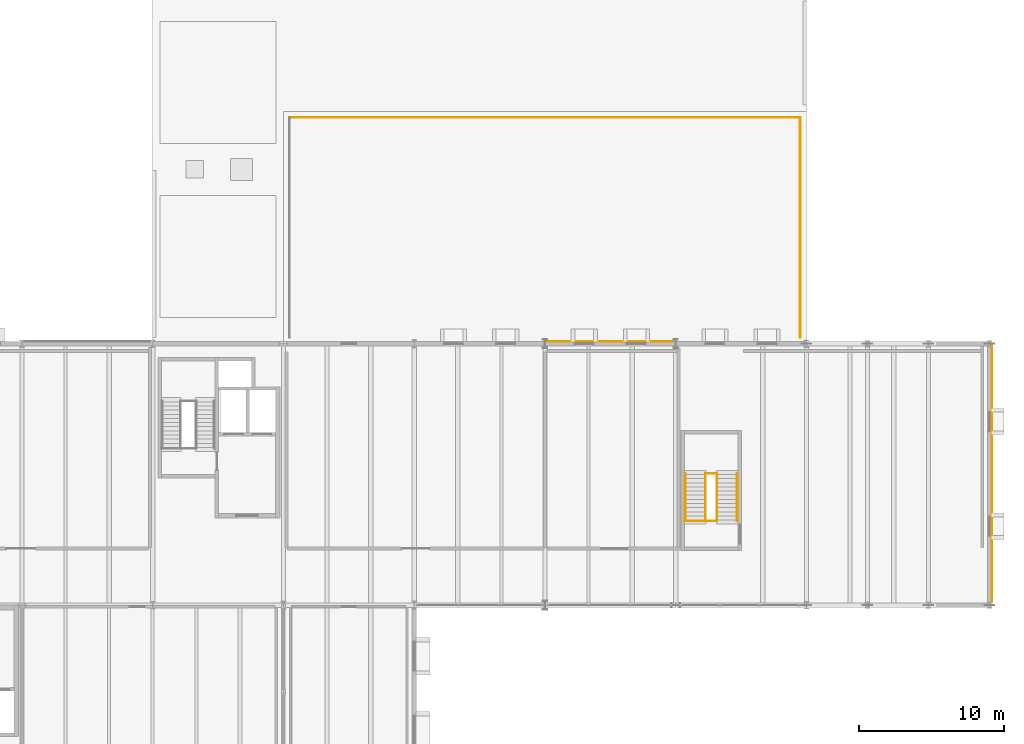
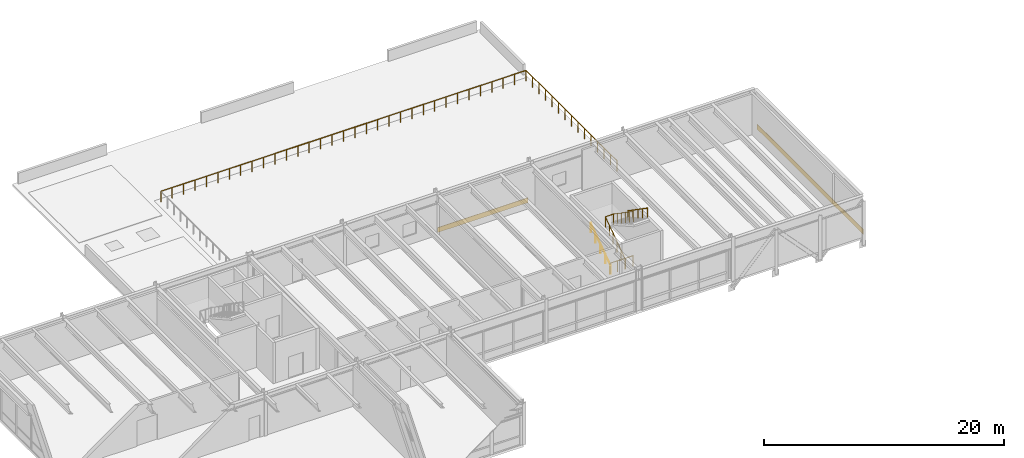
# One storey, part 115 of 115: 8 railings, 2 coverings.
"""IFC4 building model written with IfcOpenShell, lengths in metres."""

import ifcopenshell
import ifcopenshell.guid

model = None  # the IFC model being written
_history = None  # IfcOwnerHistory: only IFC2X3 demands one
_inside = {}  # id of a spatial element -> (the spatial element, [elements in it])
_under = {}  # id of a project, library or spatial element -> (it, [spatial elements below it])
_declared = {}  # id of a project -> (the project, [libraries it declares])
_typed = {}  # id of a type object -> (the type object, [elements of that type])
_made_of = {}  # id of a material, layer set ... -> (it, [elements and type objects made of it])


def new_model(schema):
    """Start an empty IFC model of exactly this schema.

    Asked for "IFC4X3", IfcOpenShell would pick the latest addendum, in which some entities
    have other attributes; the version numbers below select the first issue.
    IFC2X3 requires an IfcOwnerHistory on every rooted entity: one is made here for all.
    """
    global model, _history
    if schema == "IFC4X3":
        model = ifcopenshell.file(schema_version=(4, 3, 0, 0))
    else:
        model = ifcopenshell.file(schema=schema)
    _inside.clear()
    _under.clear()
    _declared.clear()
    _typed.clear()
    _made_of.clear()
    _history = None
    if model.schema == "IFC2X3":
        org = make("IfcOrganization", Name="unknown")
        user = make(
            "IfcPersonAndOrganization",
            ThePerson=make("IfcPerson", FamilyName="unknown"),
            TheOrganization=org,
        )
        app = make(
            "IfcApplication",
            ApplicationDeveloper=org,
            Version="unknown",
            ApplicationFullName="unknown",
            ApplicationIdentifier="unknown",
        )
        _history = make(
            "IfcOwnerHistory",
            OwningUser=user,
            OwningApplication=app,
            ChangeAction="ADDED",
            CreationDate=0,
        )
    return model


def make(cls, **values):
    """One entity of the class cls with the attributes given. An attribute that is None is left unset."""
    return model.create_entity(
        cls, **{name: value for name, value in values.items() if value is not None}
    )


def rooted(cls, **values):
    """An entity with a GlobalId (a new one), such as an element, a storey or a relation."""
    return make(cls, GlobalId=ifcopenshell.guid.new(), OwnerHistory=_history, **values)


def si_unit(unit_type, name, prefix=None):
    """IfcSIUnit, for example si_unit("LENGTHUNIT", "METRE", prefix="MILLI")."""
    return make("IfcSIUnit", UnitType=unit_type, Prefix=prefix, Name=name)


def assignment(units):
    """IfcUnitAssignment: the units of a project."""
    return None if units is None else make("IfcUnitAssignment", Units=units)


def point(xyz):
    """IfcCartesianPoint."""
    return None if xyz is None else make("IfcCartesianPoint", Coordinates=xyz)


def direction(xyz):
    """IfcDirection."""
    return None if xyz is None else make("IfcDirection", DirectionRatios=xyz)


def frame(location, z_axis=None, x_axis=None):
    """IfcAxis2Placement3D, a coordinate frame: its origin and axes. An axis left out is left unset."""
    return make(
        "IfcAxis2Placement3D",
        Location=point(location),
        Axis=direction(z_axis),
        RefDirection=direction(x_axis),
    )


def frame_2d(location, x_axis=None):
    """IfcAxis2Placement2D, a coordinate frame in the plane: its origin and x axis."""
    return make(
        "IfcAxis2Placement2D", Location=point(location), RefDirection=direction(x_axis)
    )


def origin():
    """The frame at (0, 0, 0) with its axes left unset."""
    return frame((0.0, 0.0, 0.0))


def origin_2d():
    """The frame at (0, 0) in the plane with its x axis left unset."""
    return frame_2d((0.0, 0.0))


def place(relative_to, where):
    """IfcLocalPlacement: puts the frame where relative to a parent placement (None: the world)."""
    return make(
        "IfcLocalPlacement", PlacementRelTo=relative_to, RelativePlacement=where
    )


def context(
    kind, dimensions, precision=None, world=None, true_north=None, identifier=None
):
    """IfcGeometricRepresentationContext, for example the 3D "Model" context."""
    return make(
        "IfcGeometricRepresentationContext",
        ContextIdentifier=identifier,
        ContextType=kind,
        CoordinateSpaceDimension=dimensions,
        Precision=precision,
        WorldCoordinateSystem=world,
        TrueNorth=true_north,
    )


def subcontext(parent, identifier, kind, view, scale=None):
    """IfcGeometricRepresentationSubContext, for example "Body" below "Model"."""
    return make(
        "IfcGeometricRepresentationSubContext",
        ContextIdentifier=identifier,
        ContextType=kind,
        ParentContext=parent,
        TargetScale=scale,
        TargetView=view,
    )


def project(units=None, contexts=None):
    """IfcProject with its units and contexts."""
    return rooted(
        "IfcProject",
        Name="project",
        RepresentationContexts=contexts,
        UnitsInContext=assignment(units),
    )


def spatial(cls, under=None, at=None, **own):
    """A site, building, storey or space (cls), placed at a placement, below another one or the project."""
    s = rooted(cls, ObjectPlacement=at, **own)
    if under is not None:
        _under.setdefault(under.id(), (under, []))[1].append(s)
    return s


def profile(cls, at=None, kind="AREA", **sizes):
    """A parametric profile (cls). Its sizes go by their IFC names, for example OverallWidth=200.0."""
    return make(cls, ProfileType=kind, Position=at, **sizes)


def rectangle(**sizes):
    """IfcRectangleProfileDef."""
    return profile("IfcRectangleProfileDef", **sizes)


def circle(**sizes):
    """IfcCircleProfileDef."""
    return profile("IfcCircleProfileDef", **sizes)


def extrude(swept, where, along, depth):
    """IfcExtrudedAreaSolid: the profile swept, set in the frame where, extruded along a direction by depth."""
    return make(
        "IfcExtrudedAreaSolid",
        SweptArea=swept,
        Position=where,
        ExtrudedDirection=direction(along),
        Depth=depth,
    )


def shape(context_of_items, identifier, shape_type, items):
    """IfcShapeRepresentation: the items that make up one representation, for example the "Body"."""
    return make(
        "IfcShapeRepresentation",
        ContextOfItems=context_of_items,
        RepresentationIdentifier=identifier,
        RepresentationType=shape_type,
        Items=items,
    )


def material(Name=None, Category=None):
    """IfcMaterial."""
    return make("IfcMaterial", Name=Name, Category=Category)


def layer(
    of_material, thickness, ventilated=None, Name=None, Category=None, Priority=None
):
    """IfcMaterialLayer: one layer of a wall or slab, of a material (None: an air gap)."""
    return make(
        "IfcMaterialLayer",
        Material=of_material,
        LayerThickness=thickness,
        IsVentilated=ventilated,
        Name=Name,
        Category=Category,
        Priority=Priority,
    )


def layer_set(layers, Name=None):
    """IfcMaterialLayerSet."""
    return make("IfcMaterialLayerSet", MaterialLayers=layers, LayerSetName=Name)


def made_of(thing, what):
    """Note that an element or type object is made of a material, layer set ...; save() writes the relation."""
    if what is not None:
        _made_of.setdefault(what.id(), (what, []))[1].append(thing)
    return thing


def type_object(cls, material=None, **own):
    """A type object (cls), such as IfcWallType, which elements share."""
    return made_of(rooted(cls, **own), material)


def element(
    cls,
    number,
    at=None,
    inside=None,
    cuts=None,
    type_object=None,
    material=None,
    context=None,
    identifier="Body",
    shape_type=None,
    held_by="IfcProductDefinitionShape",
    body=None,
    shapes=None,
    **own,
):
    """One element of the class cls, such as IfcWall. Its Tag is "e" and its number.

    at: its placement. inside: the storey or other place that contains it. cuts: it is an
    opening in that element (IfcRelVoidsElement). A single representation is given by context,
    identifier, shape_type and body (its items); several are given by shapes. held_by: the class
    of the entity that holds the representations. save() writes the other relations.
    """
    e = rooted(cls, Tag="e%d" % number, ObjectPlacement=at, **own)
    if body is not None:
        shapes = [shape(context, identifier, shape_type, body)]
    if shapes is not None:
        e.Representation = make(held_by, Representations=shapes)
    if inside is not None:
        _inside.setdefault(inside.id(), (inside, []))[1].append(e)
    if cuts is not None:
        rooted(
            "IfcRelVoidsElement", RelatingBuildingElement=cuts, RelatedOpeningElement=e
        )
    if type_object is not None:
        _typed.setdefault(type_object.id(), (type_object, []))[1].append(e)
    return made_of(e, material)


def aggregate(whole, parts):
    """IfcRelAggregates: a whole, such as a stair, and the parts it consists of."""
    return rooted("IfcRelAggregates", RelatingObject=whole, RelatedObjects=parts)


def save(model, path):
    """Write the relations noted so far, then the file.

    IfcRelAggregates (storeys below a building ...), IfcRelContainedInSpatialStructure (elements
    in a storey), IfcRelDefinesByType, IfcRelAssociatesMaterial and IfcRelDeclares: one each for
    every whole, place, type object, material and project.
    """
    for whole, parts in _under.values():
        aggregate(whole, parts)
    for where, things in _inside.values():
        rooted(
            "IfcRelContainedInSpatialStructure",
            RelatedElements=things,
            RelatingStructure=where,
        )
    for kind, things in _typed.values():
        rooted("IfcRelDefinesByType", RelatedObjects=things, RelatingType=kind)
    for what, things in _made_of.values():
        rooted("IfcRelAssociatesMaterial", RelatedObjects=things, RelatingMaterial=what)
    for by, libraries in _declared.values():
        rooted("IfcRelDeclares", RelatingContext=by, RelatedDefinitions=libraries)
    model.write(path)


model = new_model("IFC4")

# Units and contexts
model_context = context("Model", 3, precision=1e-05, world=origin(), true_north=direction((0.0, 1.0)))
body_context = subcontext(model_context, "Body", "Model", "MODEL_VIEW")
ifc_project = project(units=[si_unit("LENGTHUNIT", "METRE"), si_unit("AREAUNIT", "SQUARE_METRE"), si_unit("VOLUMEUNIT", "CUBIC_METRE"), si_unit("PLANEANGLEUNIT", "RADIAN"), si_unit("MASSUNIT", "GRAM", prefix="KILO")], contexts=[model_context])

# Site, building, storey
site_placement = place(None, origin())
site = spatial("IfcSite", under=ifc_project, at=site_placement, CompositionType="ELEMENT")
building_placement = place(site_placement, origin())
building = spatial("IfcBuilding", under=site, at=building_placement, Name="Montelvaro Courts of Justice", CompositionType="ELEMENT")
storey_placement = place(building_placement, frame((0.0, 0.0, 9.89990234375)))
storey = spatial("IfcBuildingStorey", under=building, at=storey_placement, Name="L02", CompositionType="ELEMENT", Elevation=9.89990234375)

# Coverings
ifc_material_1 = material(Name="White mineral precast concrete C45/55", Category="concrete")
ifc_layer = layer(ifc_material_1, 0.0400390625)
ifc_layer_set = layer_set([ifc_layer], Name="White mineral precast concrete C45/55")
covering_type = type_object("IfcCoveringType", Name="BarCladding_GFRC", PredefinedType="CLADDING", material=ifc_layer_set)
covering_1_placement = place(storey_placement, frame((174.761962890625, 87.0400390625, 0.030029296875), z_axis=(0.0, 0.0, 1.0), x_axis=(0.0, 1.0, 0.0)))
element("IfcCovering", 1, at=covering_1_placement, inside=storey, type_object=covering_type, Name="Horizontal White Bar Spandrel Cladding CL-01-009", PredefinedType="CLADDING", context=body_context, shape_type="SweptSolid", body=[
    extrude(rectangle(XDim=17.699951171875, YDim=0.0400390625, at=origin_2d()), origin(), (0.0, 0.0, 1.0), 0.5),
])
covering_2_placement = place(storey_placement, frame((148.5, 96.162109375, 0.030029296875), z_axis=(0.0, 0.0, 1.0), x_axis=(-1.0, 0.0, 0.0)))
element("IfcCovering", 2, at=covering_2_placement, inside=storey, type_object=covering_type, Name="Horizontal White Bar Spandrel Cladding CL-01-010", PredefinedType="CLADDING", context=body_context, shape_type="SweptSolid", body=[
    extrude(rectangle(XDim=8.68408203125, YDim=0.0400390625, at=origin_2d()), origin(), (0.0, 0.0, 1.0), 0.5),
])

# Railings
ifc_material_2 = material(Name="Steel S355", Category="steel")
railing_type_1 = type_object("IfcRailingType", Name="InteriorGuard_1100", PredefinedType="BALUSTRADE", material=ifc_material_2)
railing_1_placement = place(storey_placement, frame((153.60009765625, 83.800048828125, 0.0)))
element("IfcRailing", 3, at=railing_1_placement, inside=storey, type_object=railing_type_1, Name="Stair Well Guard GR-02 ST-V2-L01-TLG", PredefinedType="BALUSTRADE", context=body_context, shape_type="SweptSolid", body=[
    extrude(circle(Radius=0.02392578125, at=origin_2d()), frame((0.0, 0.0, 1.076171875), z_axis=(1.0, 0.0, 0.0), x_axis=(0.0, 1.0, 0.0)), (0.0, 0.0, 1.0), 2.239990234375),
    extrude(circle(Radius=0.02099609375, at=origin_2d()), origin(), (0.0, 0.0, 1.0), 1.052001953125),
    extrude(circle(Radius=0.02099609375, at=origin_2d()), frame((0.74658203125, 0.0, 0.0)), (0.0, 0.0, 1.0), 1.052001953125),
    extrude(circle(Radius=0.02099609375, at=origin_2d()), frame((1.493408203125, 0.0, 0.0)), (0.0, 0.0, 1.0), 1.052001953125),
    extrude(circle(Radius=0.02099609375, at=origin_2d()), frame((2.239990234375, 0.0, 0.0)), (0.0, 0.0, 1.0), 1.052001953125),
])
railing_2_placement = place(storey_placement, frame((155.06005859375, 83.800048828125, 0.0)))
element("IfcRailing", 4, at=railing_2_placement, inside=storey, type_object=railing_type_1, Name="Stair Well Guard GR-02 ST-V2-L02-F1G", PredefinedType="BALUSTRADE", context=body_context, shape_type="SweptSolid", body=[
    extrude(circle(Radius=0.02392578125, at=origin_2d()), frame((0.0, 0.0, 1.076171875), z_axis=(0.0, 0.823407228882, 0.567450910146), x_axis=(-1.0, 0.0, 0.0)), (0.0, 0.0, 1.0), 3.965087890625),
    extrude(circle(Radius=0.02099609375, at=origin_2d()), origin(), (0.0, 0.0, 1.0), 1.052001953125),
    extrude(circle(Radius=0.02099609375, at=origin_2d()), frame((0.0, 0.653076171875, 0.449951171875)), (0.0, 0.0, 1.0), 1.052001953125),
    extrude(circle(Radius=0.02099609375, at=origin_2d()), frame((0.0, 1.305908203125, 0.89990234375)), (0.0, 0.0, 1.0), 1.052001953125),
    extrude(circle(Radius=0.02099609375, at=origin_2d()), frame((0.0, 1.958984375, 1.35009765625)), (0.0, 0.0, 1.0), 1.052001953125),
    extrude(circle(Radius=0.02099609375, at=origin_2d()), frame((0.0, 2.61181640625, 1.800048828125)), (0.0, 0.0, 1.0), 1.052001953125),
    extrude(circle(Radius=0.02099609375, at=origin_2d()), frame((0.0, 3.264892578125, 2.25)), (0.0, 0.0, 1.0), 1.052001953125),
])
railing_3_placement = place(storey_placement, frame((155.840087890625, 87.06494140625, 2.25)))
element("IfcRailing", 5, at=railing_3_placement, inside=storey, type_object=railing_type_1, Name="Stair Well Guard GR-02 ST-V2-L02-F2G", PredefinedType="BALUSTRADE", context=body_context, shape_type="SweptSolid", body=[
    extrude(circle(Radius=0.02392578125, at=origin_2d()), frame((0.0, 0.0, 1.076171875), z_axis=(0.0, -0.823407228882, 0.567450910146), x_axis=(1.0, 0.0, 0.0)), (0.0, 0.0, 1.0), 3.965087890625),
    extrude(circle(Radius=0.02099609375, at=origin_2d()), origin(), (0.0, 0.0, 1.0), 1.052001953125),
    extrude(circle(Radius=0.02099609375, at=origin_2d()), frame((0.0, -0.653076171875, 0.449951171875)), (0.0, 0.0, 1.0), 1.052001953125),
    extrude(circle(Radius=0.02099609375, at=origin_2d()), frame((0.0, -1.305908203125, 0.89990234375)), (0.0, 0.0, 1.0), 1.052001953125),
    extrude(circle(Radius=0.02099609375, at=origin_2d()), frame((0.0, -1.958984375, 1.35009765625)), (0.0, 0.0, 1.0), 1.052001953125),
    extrude(circle(Radius=0.02099609375, at=origin_2d()), frame((0.0, -2.61181640625, 1.800048828125)), (0.0, 0.0, 1.0), 1.052001953125),
    extrude(circle(Radius=0.02099609375, at=origin_2d()), frame((0.0, -3.264892578125, 2.25)), (0.0, 0.0, 1.0), 1.052001953125),
])
railing_4_placement = place(storey_placement, frame((155.06005859375, 87.06494140625, 2.25)))
element("IfcRailing", 6, at=railing_4_placement, inside=storey, type_object=railing_type_1, Name="Stair Well Guard GR-02 ST-V2-L02-MLG", PredefinedType="BALUSTRADE", context=body_context, shape_type="SweptSolid", body=[
    extrude(circle(Radius=0.02392578125, at=origin_2d()), frame((0.0, 0.0, 1.076171875), z_axis=(1.0, 0.0, 0.0), x_axis=(0.0, 1.0, 0.0)), (0.0, 0.0, 1.0), 0.780029296875),
    extrude(circle(Radius=0.02099609375, at=origin_2d()), origin(), (0.0, 0.0, 1.0), 1.052001953125),
    extrude(circle(Radius=0.02099609375, at=origin_2d()), frame((0.780029296875, 0.0, 0.0)), (0.0, 0.0, 1.0), 1.052001953125),
])
ifc_material_3 = material(Name="Austenitic stainless steel EN 1.4401", Category="steel")
railing_type_2 = type_object("IfcRailingType", Name="StairHandrail_950", PredefinedType="HANDRAIL", material=ifc_material_3)
railing_5_placement = place(storey_placement, frame((153.659912109375, 83.800048828125, 0.0)))
element("IfcRailing", 7, at=railing_5_placement, inside=storey, type_object=railing_type_2, Name="Stair Pitch Handrail HR-01 ST-V2-L02-F1H", PredefinedType="HANDRAIL", context=body_context, shape_type="SweptSolid", body=[
    extrude(circle(Radius=0.02392578125, at=origin_2d()), frame((0.0, 0.0, 0.92578125), z_axis=(0.0, 0.823407228882, 0.567450910146), x_axis=(-1.0, 0.0, 0.0)), (0.0, 0.0, 1.0), 3.965087890625),
    extrude(circle(Radius=0.02099609375, at=origin_2d()), origin(), (0.0, 0.0, 1.0), 0.90185546875),
    extrude(circle(Radius=0.02099609375, at=origin_2d()), frame((0.0, 0.816162109375, 0.5625)), (0.0, 0.0, 1.0), 0.90185546875),
    extrude(circle(Radius=0.02099609375, at=origin_2d()), frame((0.0, 1.63232421875, 1.125)), (0.0, 0.0, 1.0), 0.90185546875),
    extrude(circle(Radius=0.02099609375, at=origin_2d()), frame((0.0, 2.44873046875, 1.6875)), (0.0, 0.0, 1.0), 0.90185546875),
    extrude(circle(Radius=0.02099609375, at=origin_2d()), frame((0.0, 3.264892578125, 2.25)), (0.0, 0.0, 1.0), 0.90185546875),
])
railing_6_placement = place(storey_placement, frame((157.239990234375, 87.06494140625, 2.25)))
element("IfcRailing", 8, at=railing_6_placement, inside=storey, type_object=railing_type_2, Name="Stair Pitch Handrail HR-01 ST-V2-L02-F2H", PredefinedType="HANDRAIL", context=body_context, shape_type="SweptSolid", body=[
    extrude(circle(Radius=0.02392578125, at=origin_2d()), frame((0.0, 0.0, 0.92578125), z_axis=(0.0, -0.823407228882, 0.567450910146), x_axis=(1.0, 0.0, 0.0)), (0.0, 0.0, 1.0), 3.965087890625),
    extrude(circle(Radius=0.02099609375, at=origin_2d()), origin(), (0.0, 0.0, 1.0), 0.90185546875),
    extrude(circle(Radius=0.02099609375, at=origin_2d()), frame((0.0, -0.816162109375, 0.5625)), (0.0, 0.0, 1.0), 0.90185546875),
    extrude(circle(Radius=0.02099609375, at=origin_2d()), frame((0.0, -1.63232421875, 1.125)), (0.0, 0.0, 1.0), 0.90185546875),
    extrude(circle(Radius=0.02099609375, at=origin_2d()), frame((0.0, -2.44873046875, 1.6875)), (0.0, 0.0, 1.0), 0.90185546875),
    extrude(circle(Radius=0.02099609375, at=origin_2d()), frame((0.0, -3.264892578125, 2.25)), (0.0, 0.0, 1.0), 0.90185546875),
])
railing_type_3 = type_object("IfcRailingType", Name="TerraceGuard_1100", PredefinedType="BALUSTRADE", material=ifc_material_2)
railing_7_placement = place(storey_placement, frame((161.580078125, 96.419921875, 0.0)))
element("IfcRailing", 9, at=railing_7_placement, inside=storey, type_object=railing_type_3, Name="Terrace Balustrade Guard GR-01 (L02)", PredefinedType="BALUSTRADE", context=body_context, shape_type="SweptSolid", body=[
    extrude(circle(Radius=0.02392578125, at=origin_2d()), frame((0.0, 0.0, 1.076171875), z_axis=(0.0, 1.0, 0.0), x_axis=(-1.0, 0.0, 0.0)), (0.0, 0.0, 1.0), 15.16015625),
    extrude(circle(Radius=0.02099609375, at=origin_2d()), origin(), (0.0, 0.0, 1.0), 1.052001953125),
    extrude(circle(Radius=0.02099609375, at=origin_2d()), frame((0.0, 1.082763671875, 0.0)), (0.0, 0.0, 1.0), 1.052001953125),
    extrude(circle(Radius=0.02099609375, at=origin_2d()), frame((0.0, 2.165771484375, 0.0)), (0.0, 0.0, 1.0), 1.052001953125),
    extrude(circle(Radius=0.02099609375, at=origin_2d()), frame((0.0, 3.24853515625, 0.0)), (0.0, 0.0, 1.0), 1.052001953125),
    extrude(circle(Radius=0.02099609375, at=origin_2d()), frame((0.0, 4.33154296875, 0.0)), (0.0, 0.0, 1.0), 1.052001953125),
    extrude(circle(Radius=0.02099609375, at=origin_2d()), frame((0.0, 5.414306640625, 0.0)), (0.0, 0.0, 1.0), 1.052001953125),
    extrude(circle(Radius=0.02099609375, at=origin_2d()), frame((0.0, 6.497314453125, 0.0)), (0.0, 0.0, 1.0), 1.052001953125),
    extrude(circle(Radius=0.02099609375, at=origin_2d()), frame((0.0, 7.580078125, 0.0)), (0.0, 0.0, 1.0), 1.052001953125),
    extrude(circle(Radius=0.02099609375, at=origin_2d()), frame((0.0, 8.662841796875, 0.0)), (0.0, 0.0, 1.0), 1.052001953125),
    extrude(circle(Radius=0.02099609375, at=origin_2d()), frame((0.0, 9.745849609375, 0.0)), (0.0, 0.0, 1.0), 1.052001953125),
    extrude(circle(Radius=0.02099609375, at=origin_2d()), frame((0.0, 10.82861328125, 0.0)), (0.0, 0.0, 1.0), 1.052001953125),
    extrude(circle(Radius=0.02099609375, at=origin_2d()), frame((0.0, 11.91162109375, 0.0)), (0.0, 0.0, 1.0), 1.052001953125),
    extrude(circle(Radius=0.02099609375, at=origin_2d()), frame((0.0, 12.994384765625, 0.0)), (0.0, 0.0, 1.0), 1.052001953125),
    extrude(circle(Radius=0.02099609375, at=origin_2d()), frame((0.0, 14.077392578125, 0.0)), (0.0, 0.0, 1.0), 1.052001953125),
    extrude(circle(Radius=0.02099609375, at=origin_2d()), frame((0.0, 15.16015625, 0.0)), (0.0, 0.0, 1.0), 1.052001953125),
])
railing_8_placement = place(storey_placement, frame((161.580078125, 111.580078125, 0.0)))
element("IfcRailing", 10, at=railing_8_placement, inside=storey, type_object=railing_type_3, Name="Terrace Balustrade Guard GR-01 (L02)", PredefinedType="BALUSTRADE", context=body_context, shape_type="SweptSolid", body=[
    extrude(circle(Radius=0.02392578125, at=origin_2d()), frame((0.0, 0.0, 1.076171875), z_axis=(-1.0, 0.0, 0.0), x_axis=(0.0, -1.0, 0.0)), (0.0, 0.0, 1.0), 35.16015625),
    extrude(circle(Radius=0.02099609375, at=origin_2d()), origin(), (0.0, 0.0, 1.0), 1.052001953125),
    extrude(circle(Radius=0.02099609375, at=origin_2d()), frame((-1.0986328125, 0.0, 0.0)), (0.0, 0.0, 1.0), 1.052001953125),
    extrude(circle(Radius=0.02099609375, at=origin_2d()), frame((-2.197509765625, 0.0, 0.0)), (0.0, 0.0, 1.0), 1.052001953125),
    extrude(circle(Radius=0.02099609375, at=origin_2d()), frame((-3.29638671875, 0.0, 0.0)), (0.0, 0.0, 1.0), 1.052001953125),
    extrude(circle(Radius=0.02099609375, at=origin_2d()), frame((-4.39501953125, 0.0, 0.0)), (0.0, 0.0, 1.0), 1.052001953125),
    extrude(circle(Radius=0.02099609375, at=origin_2d()), frame((-5.49365234375, 0.0, 0.0)), (0.0, 0.0, 1.0), 1.052001953125),
    extrude(circle(Radius=0.02099609375, at=origin_2d()), frame((-6.592529296875, 0.0, 0.0)), (0.0, 0.0, 1.0), 1.052001953125),
    extrude(circle(Radius=0.02099609375, at=origin_2d()), frame((-7.69140625, 0.0, 0.0)), (0.0, 0.0, 1.0), 1.052001953125),
    extrude(circle(Radius=0.02099609375, at=origin_2d()), frame((-8.7900390625, 0.0, 0.0)), (0.0, 0.0, 1.0), 1.052001953125),
    extrude(circle(Radius=0.02099609375, at=origin_2d()), frame((-9.888671875, 0.0, 0.0)), (0.0, 0.0, 1.0), 1.052001953125),
    extrude(circle(Radius=0.02099609375, at=origin_2d()), frame((-10.987548828125, 0.0, 0.0)), (0.0, 0.0, 1.0), 1.052001953125),
    extrude(circle(Radius=0.02099609375, at=origin_2d()), frame((-12.08642578125, 0.0, 0.0)), (0.0, 0.0, 1.0), 1.052001953125),
    extrude(circle(Radius=0.02099609375, at=origin_2d()), frame((-13.18505859375, 0.0, 0.0)), (0.0, 0.0, 1.0), 1.052001953125),
    extrude(circle(Radius=0.02099609375, at=origin_2d()), frame((-14.28369140625, 0.0, 0.0)), (0.0, 0.0, 1.0), 1.052001953125),
    extrude(circle(Radius=0.02099609375, at=origin_2d()), frame((-15.382568359375, 0.0, 0.0)), (0.0, 0.0, 1.0), 1.052001953125),
    extrude(circle(Radius=0.02099609375, at=origin_2d()), frame((-16.4814453125, 0.0, 0.0)), (0.0, 0.0, 1.0), 1.052001953125),
    extrude(circle(Radius=0.02099609375, at=origin_2d()), frame((-17.580078125, 0.0, 0.0)), (0.0, 0.0, 1.0), 1.052001953125),
    extrude(circle(Radius=0.02099609375, at=origin_2d()), frame((-18.6787109375, 0.0, 0.0)), (0.0, 0.0, 1.0), 1.052001953125),
    extrude(circle(Radius=0.02099609375, at=origin_2d()), frame((-19.777587890625, 0.0, 0.0)), (0.0, 0.0, 1.0), 1.052001953125),
    extrude(circle(Radius=0.02099609375, at=origin_2d()), frame((-20.87646484375, 0.0, 0.0)), (0.0, 0.0, 1.0), 1.052001953125),
    extrude(circle(Radius=0.02099609375, at=origin_2d()), frame((-21.97509765625, 0.0, 0.0)), (0.0, 0.0, 1.0), 1.052001953125),
    extrude(circle(Radius=0.02099609375, at=origin_2d()), frame((-23.07373046875, 0.0, 0.0)), (0.0, 0.0, 1.0), 1.052001953125),
    extrude(circle(Radius=0.02099609375, at=origin_2d()), frame((-24.172607421875, 0.0, 0.0)), (0.0, 0.0, 1.0), 1.052001953125),
    extrude(circle(Radius=0.02099609375, at=origin_2d()), frame((-25.271484375, 0.0, 0.0)), (0.0, 0.0, 1.0), 1.052001953125),
    extrude(circle(Radius=0.02099609375, at=origin_2d()), frame((-26.3701171875, 0.0, 0.0)), (0.0, 0.0, 1.0), 1.052001953125),
    extrude(circle(Radius=0.02099609375, at=origin_2d()), frame((-27.46875, 0.0, 0.0)), (0.0, 0.0, 1.0), 1.052001953125),
    extrude(circle(Radius=0.02099609375, at=origin_2d()), frame((-28.567626953125, 0.0, 0.0)), (0.0, 0.0, 1.0), 1.052001953125),
    extrude(circle(Radius=0.02099609375, at=origin_2d()), frame((-29.66650390625, 0.0, 0.0)), (0.0, 0.0, 1.0), 1.052001953125),
    extrude(circle(Radius=0.02099609375, at=origin_2d()), frame((-30.76513671875, 0.0, 0.0)), (0.0, 0.0, 1.0), 1.052001953125),
    extrude(circle(Radius=0.02099609375, at=origin_2d()), frame((-31.86376953125, 0.0, 0.0)), (0.0, 0.0, 1.0), 1.052001953125),
    extrude(circle(Radius=0.02099609375, at=origin_2d()), frame((-32.962646484375, 0.0, 0.0)), (0.0, 0.0, 1.0), 1.052001953125),
    extrude(circle(Radius=0.02099609375, at=origin_2d()), frame((-34.0615234375, 0.0, 0.0)), (0.0, 0.0, 1.0), 1.052001953125),
    extrude(circle(Radius=0.02099609375, at=origin_2d()), frame((-35.16015625, 0.0, 0.0)), (0.0, 0.0, 1.0), 1.052001953125),
])

save(model, "model.ifc")
